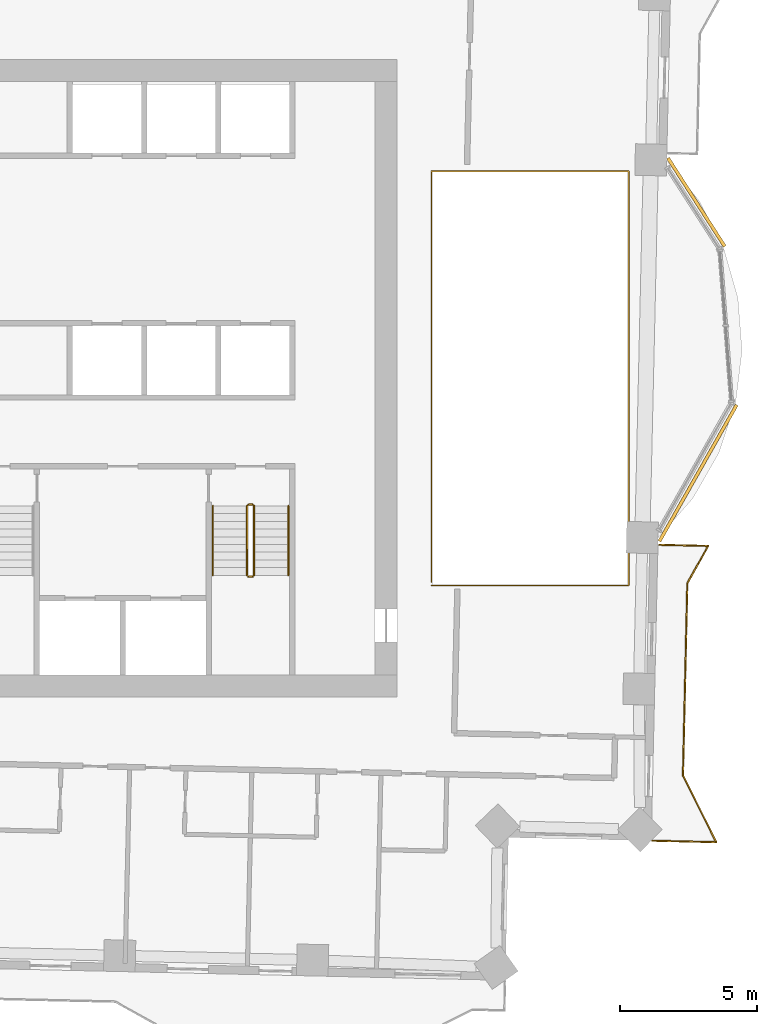
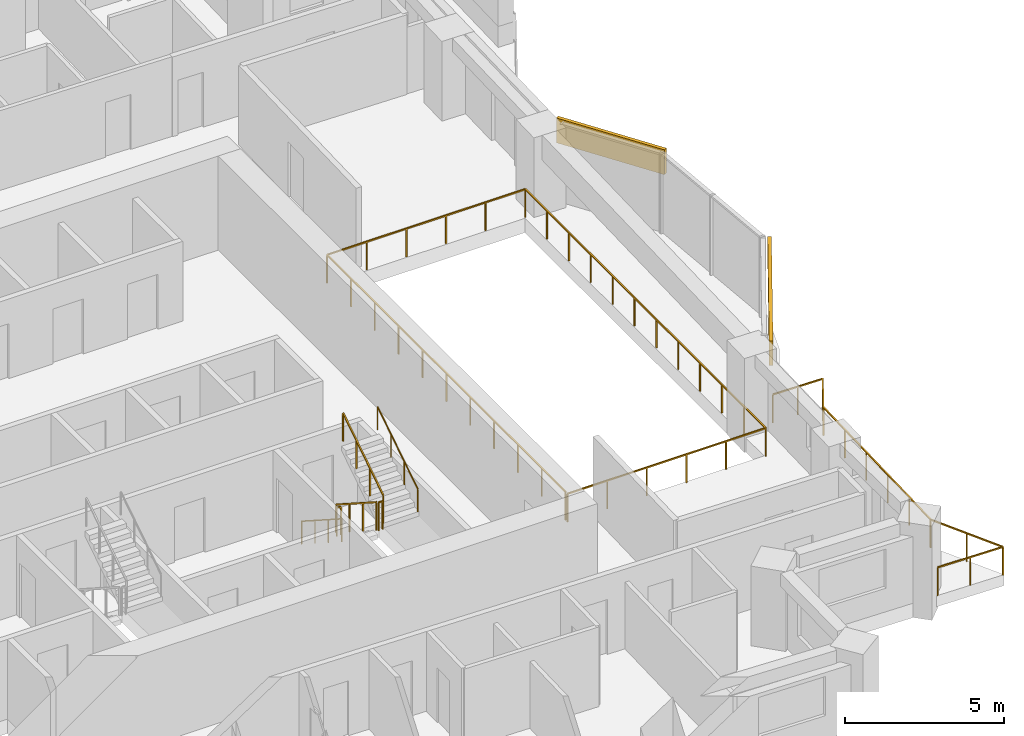
# One storey, part 15 of 16: 8 railings, 2 coverings.
"""IFC4 building model written with IfcOpenShell, lengths in metres."""

from ifc_helpers import new_model, si_unit, direction, frame, frame_2d, origin, origin_2d, place, context, subcontext, project, spatial, rectangle, circle, extrude, material, layer, layer_set, type_object, element, save


model = new_model("IFC4")

# Units and contexts
model_context = context("Model", 3, precision=1e-05, world=origin(), true_north=direction((0.0, 1.0)))
body_context = subcontext(model_context, "Body", "Model", "MODEL_VIEW")
ifc_project = project(units=[si_unit("LENGTHUNIT", "METRE"), si_unit("AREAUNIT", "SQUARE_METRE"), si_unit("VOLUMEUNIT", "CUBIC_METRE"), si_unit("PLANEANGLEUNIT", "RADIAN"), si_unit("MASSUNIT", "GRAM", prefix="KILO")], contexts=[model_context])

# Site, building, storey
site_placement = place(None, origin())
site = spatial("IfcSite", under=ifc_project, at=site_placement, CompositionType="ELEMENT")
building_placement = place(site_placement, origin())
building = spatial("IfcBuilding", under=site, at=building_placement, Name="Mangrove Gate Tower", CompositionType="ELEMENT")
storey_placement = place(building_placement, frame((0.0, 0.0, 197.89990234375)))
storey = spatial("IfcBuildingStorey", under=building, at=storey_placement, Name="L50", CompositionType="ELEMENT", Elevation=197.89990234375)

# Railings
ifc_material_1 = material(Name="Stainless steel grade 316 with laminated glass infill", Category="steel")
railing_type_1 = type_object("IfcRailingType", Name="Balcony guard 1100", PredefinedType="GUARDRAIL", material=ifc_material_1)
railing_1_placement = place(storey_placement, frame((23.89892578125, -16.8330078125, 0.0)))
element("IfcRailing", 1, at=railing_1_placement, inside=storey, type_object=railing_type_1, Name="GUARD L50 E1", PredefinedType="GUARDRAIL", context=body_context, shape_type="SweptSolid", body=[
    extrude(rectangle(XDim=0.048095703125, YDim=0.048095703125, at=origin_2d()), frame((0.0, 0.0, 1.076171875), z_axis=(0.999741185646, -0.022749982937, 0.0), x_axis=(0.022749982937, 0.999741185646, 0.0)), (0.0, 0.0, 1.0), 2.32861328125),
    extrude(rectangle(XDim=0.048095703125, YDim=0.048095703125, at=origin_2d()), frame((2.328125, -0.052978515625, 1.076171875), z_axis=(-0.447249569365, 0.894409203163, 0.0), x_axis=(-0.894409203163, -0.447249569365, 0.0)), (0.0, 0.0, 1.0), 2.714599609375),
    extrude(rectangle(XDim=0.048095703125, YDim=0.048095703125, at=origin_2d()), frame((1.114013671875, 2.375, 1.076171875), z_axis=(0.022740419861, 0.999741403216, 0.0), x_axis=(-0.999741403216, 0.022740419861, 0.0)), (0.0, 0.0, 1.0), 6.999755859375),
    extrude(rectangle(XDim=0.048095703125, YDim=0.048095703125, at=origin_2d()), frame((1.273193359375, 9.373046875, 1.076171875), z_axis=(0.487321616533, 0.873222561584, 0.0), x_axis=(-0.873222561584, 0.487321616533, 0.0)), (0.0, 0.0, 1.0), 1.55517578125),
    extrude(rectangle(XDim=0.048095703125, YDim=0.048095703125, at=origin_2d()), frame((2.031005859375, 10.73095703125, 1.076171875), z_axis=(-0.999736374059, 0.02296045261, 0.0), x_axis=(-0.02296045261, -0.999736374059, 0.0)), (0.0, 0.0, 1.0), 1.786376953125),
    extrude(rectangle(XDim=0.0419921875, YDim=0.0419921875, at=origin_2d()), origin(), (0.0, 0.0, 1.0), 1.052001953125),
    extrude(rectangle(XDim=0.0419921875, YDim=0.0419921875, at=origin_2d()), frame((1.1640625, -0.0263671875, 0.0)), (0.0, 0.0, 1.0), 1.052001953125),
    extrude(rectangle(XDim=0.0419921875, YDim=0.0419921875, at=origin_2d()), frame((2.328125, -0.052978515625, 0.0)), (0.0, 0.0, 1.0), 1.052001953125),
    extrude(rectangle(XDim=0.0419921875, YDim=0.0419921875, at=origin_2d()), frame((1.72119140625, 1.1611328125, 0.0)), (0.0, 0.0, 1.0), 1.052001953125),
    extrude(rectangle(XDim=0.0419921875, YDim=0.0419921875, at=origin_2d()), frame((1.114013671875, 2.375, 0.0)), (0.0, 0.0, 1.0), 1.052001953125),
    extrude(rectangle(XDim=0.0419921875, YDim=0.0419921875, at=origin_2d()), frame((1.145751953125, 3.774658203125, 0.0)), (0.0, 0.0, 1.0), 1.052001953125),
    extrude(rectangle(XDim=0.0419921875, YDim=0.0419921875, at=origin_2d()), frame((1.177734375, 5.17431640625, 0.0)), (0.0, 0.0, 1.0), 1.052001953125),
    extrude(rectangle(XDim=0.0419921875, YDim=0.0419921875, at=origin_2d()), frame((1.20947265625, 6.57373046875, 0.0)), (0.0, 0.0, 1.0), 1.052001953125),
    extrude(rectangle(XDim=0.0419921875, YDim=0.0419921875, at=origin_2d()), frame((1.241455078125, 7.973388671875, 0.0)), (0.0, 0.0, 1.0), 1.052001953125),
    extrude(rectangle(XDim=0.0419921875, YDim=0.0419921875, at=origin_2d()), frame((1.273193359375, 9.373046875, 0.0)), (0.0, 0.0, 1.0), 1.052001953125),
    extrude(rectangle(XDim=0.0419921875, YDim=0.0419921875, at=origin_2d()), frame((1.652099609375, 10.052001953125, 0.0)), (0.0, 0.0, 1.0), 1.052001953125),
    extrude(rectangle(XDim=0.0419921875, YDim=0.0419921875, at=origin_2d()), frame((2.031005859375, 10.73095703125, 0.0)), (0.0, 0.0, 1.0), 1.052001953125),
    extrude(rectangle(XDim=0.0419921875, YDim=0.0419921875, at=origin_2d()), frame((1.13818359375, 10.75146484375, 0.0)), (0.0, 0.0, 1.0), 1.052001953125),
    extrude(rectangle(XDim=0.0419921875, YDim=0.0419921875, at=origin_2d()), frame((0.2451171875, 10.77197265625, 0.0)), (0.0, 0.0, 1.0), 1.052001953125),
])
railing_2_placement = place(storey_placement, frame((15.860107421875, -7.5400390625, 0.0)))
element("IfcRailing", 2, at=railing_2_placement, inside=storey, type_object=railing_type_1, Name="GUARD L50 atrium", PredefinedType="GUARDRAIL", context=body_context, shape_type="SweptSolid", body=[
    extrude(rectangle(XDim=0.048095703125, YDim=0.048095703125, at=origin_2d()), frame((0.0, 0.0, 1.076171875), z_axis=(1.0, 0.0, 0.0), x_axis=(0.0, 1.0, 0.0)), (0.0, 0.0, 1.0), 7.1748046875),
    extrude(rectangle(XDim=0.048095703125, YDim=0.048095703125, at=origin_2d()), frame((7.1748046875, 0.0, 1.076171875), z_axis=(0.0, 1.0, 0.0), x_axis=(-1.0, 0.0, 0.0)), (0.0, 0.0, 1.0), 15.080078125),
    extrude(rectangle(XDim=0.048095703125, YDim=0.048095703125, at=origin_2d()), frame((7.1748046875, 15.080078125, 1.076171875), z_axis=(-1.0, 0.0, 0.0), x_axis=(0.0, -1.0, 0.0)), (0.0, 0.0, 1.0), 7.1748046875),
    extrude(rectangle(XDim=0.048095703125, YDim=0.048095703125, at=origin_2d()), frame((0.0, 15.080078125, 1.076171875), z_axis=(0.0, -1.0, 0.0), x_axis=(1.0, 0.0, 0.0)), (0.0, 0.0, 1.0), 14.9599609375),
    extrude(rectangle(XDim=0.0419921875, YDim=0.0419921875, at=origin_2d()), origin(), (0.0, 0.0, 1.0), 1.052001953125),
    extrude(rectangle(XDim=0.0419921875, YDim=0.0419921875, at=origin_2d()), frame((1.43505859375, 0.0, 0.0)), (0.0, 0.0, 1.0), 1.052001953125),
    extrude(rectangle(XDim=0.0419921875, YDim=0.0419921875, at=origin_2d()), frame((2.869873046875, 0.0, 0.0)), (0.0, 0.0, 1.0), 1.052001953125),
    extrude(rectangle(XDim=0.0419921875, YDim=0.0419921875, at=origin_2d()), frame((4.304931640625, 0.0, 0.0)), (0.0, 0.0, 1.0), 1.052001953125),
    extrude(rectangle(XDim=0.0419921875, YDim=0.0419921875, at=origin_2d()), frame((5.73974609375, 0.0, 0.0)), (0.0, 0.0, 1.0), 1.052001953125),
    extrude(rectangle(XDim=0.0419921875, YDim=0.0419921875, at=origin_2d()), frame((7.1748046875, 0.0, 0.0)), (0.0, 0.0, 1.0), 1.052001953125),
    extrude(rectangle(XDim=0.0419921875, YDim=0.0419921875, at=origin_2d()), frame((7.1748046875, 1.370849609375, 0.0)), (0.0, 0.0, 1.0), 1.052001953125),
    extrude(rectangle(XDim=0.0419921875, YDim=0.0419921875, at=origin_2d()), frame((7.1748046875, 2.741943359375, 0.0)), (0.0, 0.0, 1.0), 1.052001953125),
    extrude(rectangle(XDim=0.0419921875, YDim=0.0419921875, at=origin_2d()), frame((7.1748046875, 4.11279296875, 0.0)), (0.0, 0.0, 1.0), 1.052001953125),
    extrude(rectangle(XDim=0.0419921875, YDim=0.0419921875, at=origin_2d()), frame((7.1748046875, 5.483642578125, 0.0)), (0.0, 0.0, 1.0), 1.052001953125),
    extrude(rectangle(XDim=0.0419921875, YDim=0.0419921875, at=origin_2d()), frame((7.1748046875, 6.8544921875, 0.0)), (0.0, 0.0, 1.0), 1.052001953125),
    extrude(rectangle(XDim=0.0419921875, YDim=0.0419921875, at=origin_2d()), frame((7.1748046875, 8.2255859375, 0.0)), (0.0, 0.0, 1.0), 1.052001953125),
    extrude(rectangle(XDim=0.0419921875, YDim=0.0419921875, at=origin_2d()), frame((7.1748046875, 9.596435546875, 0.0)), (0.0, 0.0, 1.0), 1.052001953125),
    extrude(rectangle(XDim=0.0419921875, YDim=0.0419921875, at=origin_2d()), frame((7.1748046875, 10.96728515625, 0.0)), (0.0, 0.0, 1.0), 1.052001953125),
    extrude(rectangle(XDim=0.0419921875, YDim=0.0419921875, at=origin_2d()), frame((7.1748046875, 12.338134765625, 0.0)), (0.0, 0.0, 1.0), 1.052001953125),
    extrude(rectangle(XDim=0.0419921875, YDim=0.0419921875, at=origin_2d()), frame((7.1748046875, 13.709228515625, 0.0)), (0.0, 0.0, 1.0), 1.052001953125),
    extrude(rectangle(XDim=0.0419921875, YDim=0.0419921875, at=origin_2d()), frame((7.1748046875, 15.080078125, 0.0)), (0.0, 0.0, 1.0), 1.052001953125),
    extrude(rectangle(XDim=0.0419921875, YDim=0.0419921875, at=origin_2d()), frame((5.73974609375, 15.080078125, 0.0)), (0.0, 0.0, 1.0), 1.052001953125),
    extrude(rectangle(XDim=0.0419921875, YDim=0.0419921875, at=origin_2d()), frame((4.304931640625, 15.080078125, 0.0)), (0.0, 0.0, 1.0), 1.052001953125),
    extrude(rectangle(XDim=0.0419921875, YDim=0.0419921875, at=origin_2d()), frame((2.869873046875, 15.080078125, 0.0)), (0.0, 0.0, 1.0), 1.052001953125),
    extrude(rectangle(XDim=0.0419921875, YDim=0.0419921875, at=origin_2d()), frame((1.43505859375, 15.080078125, 0.0)), (0.0, 0.0, 1.0), 1.052001953125),
    extrude(rectangle(XDim=0.0419921875, YDim=0.0419921875, at=origin_2d()), frame((0.0, 15.080078125, 0.0)), (0.0, 0.0, 1.0), 1.052001953125),
    extrude(rectangle(XDim=0.0419921875, YDim=0.0419921875, at=origin_2d()), frame((0.0, 13.583984375, 0.0)), (0.0, 0.0, 1.0), 1.052001953125),
    extrude(rectangle(XDim=0.0419921875, YDim=0.0419921875, at=origin_2d()), frame((0.0, 12.088134765625, 0.0)), (0.0, 0.0, 1.0), 1.052001953125),
    extrude(rectangle(XDim=0.0419921875, YDim=0.0419921875, at=origin_2d()), frame((0.0, 10.592041015625, 0.0)), (0.0, 0.0, 1.0), 1.052001953125),
    extrude(rectangle(XDim=0.0419921875, YDim=0.0419921875, at=origin_2d()), frame((0.0, 9.09619140625, 0.0)), (0.0, 0.0, 1.0), 1.052001953125),
    extrude(rectangle(XDim=0.0419921875, YDim=0.0419921875, at=origin_2d()), frame((0.0, 7.60009765625, 0.0)), (0.0, 0.0, 1.0), 1.052001953125),
    extrude(rectangle(XDim=0.0419921875, YDim=0.0419921875, at=origin_2d()), frame((0.0, 6.10400390625, 0.0)), (0.0, 0.0, 1.0), 1.052001953125),
    extrude(rectangle(XDim=0.0419921875, YDim=0.0419921875, at=origin_2d()), frame((0.0, 4.608154296875, 0.0)), (0.0, 0.0, 1.0), 1.052001953125),
    extrude(rectangle(XDim=0.0419921875, YDim=0.0419921875, at=origin_2d()), frame((0.0, 3.112060546875, 0.0)), (0.0, 0.0, 1.0), 1.052001953125),
    extrude(rectangle(XDim=0.0419921875, YDim=0.0419921875, at=origin_2d()), frame((0.0, 1.6162109375, 0.0)), (0.0, 0.0, 1.0), 1.052001953125),
    extrude(rectangle(XDim=0.0419921875, YDim=0.0419921875, at=origin_2d()), frame((0.0, 0.1201171875, 0.0)), (0.0, 0.0, 1.0), 1.052001953125),
])
ifc_material_2 = material(Name="Stainless steel 316", Category="steel")
railing_type_2 = type_object("IfcRailingType", Name="Core stair guard 1100", PredefinedType="GUARDRAIL", material=ifc_material_2)
railing_3_placement = place(storey_placement, frame((9.14990234375, -4.64990234375, 0.18017578125)))
element("IfcRailing", 3, at=railing_3_placement, inside=storey, type_object=railing_type_2, Name="L50 ST3 stair guard 1", PredefinedType="GUARDRAIL", context=body_context, shape_type="SweptSolid", body=[
    extrude(rectangle(XDim=0.048095703125, YDim=0.048095703125, at=origin_2d()), frame((0.0, 0.0, 1.076171875), z_axis=(0.0, -0.841199657755, 0.540724639528), x_axis=(1.0, 0.0, 0.0)), (0.0, 0.0, 1.0), 2.995849609375),
    extrude(rectangle(XDim=0.0419921875, YDim=0.0419921875, at=origin_2d()), origin(), (0.0, 0.0, 1.0), 1.052001953125),
    extrude(rectangle(XDim=0.0419921875, YDim=0.0419921875, at=origin_2d()), frame((0.0, -0.840087890625, 0.5400390625)), (0.0, 0.0, 1.0), 1.052001953125),
    extrude(rectangle(XDim=0.0419921875, YDim=0.0419921875, at=origin_2d()), frame((0.0, -1.679931640625, 1.079833984375)), (0.0, 0.0, 1.0), 1.052001953125),
    extrude(rectangle(XDim=0.0419921875, YDim=0.0419921875, at=origin_2d()), frame((0.0, -2.52001953125, 1.619873046875)), (0.0, 0.0, 1.0), 1.052001953125),
])
railing_4_placement = place(storey_placement, frame((9.199951171875, -7.219970703125, 1.800048828125)))
element("IfcRailing", 4, at=railing_4_placement, inside=storey, type_object=railing_type_2, Name="L50 ST3 stair guard 2", PredefinedType="GUARDRAIL", context=body_context, shape_type="SweptSolid", body=[
    extrude(rectangle(XDim=0.048095703125, YDim=0.048095703125, at=origin_2d()), frame((0.0, 0.0, 1.076171875), z_axis=(1.0, 0.0, 0.0), x_axis=(0.0, 1.0, 0.0)), (0.0, 0.0, 1.0), 0.150146484375),
    extrude(rectangle(XDim=0.0419921875, YDim=0.0419921875, at=origin_2d()), origin(), (0.0, 0.0, 1.0), 1.052001953125),
    extrude(rectangle(XDim=0.0419921875, YDim=0.0419921875, at=origin_2d()), frame((0.150146484375, 0.0, 0.0)), (0.0, 0.0, 1.0), 1.052001953125),
])
railing_5_placement = place(storey_placement, frame((9.39990234375, -7.169921875, 1.97998046875)))
element("IfcRailing", 5, at=railing_5_placement, inside=storey, type_object=railing_type_2, Name="L50 ST3 stair guard 3", PredefinedType="GUARDRAIL", context=body_context, shape_type="SweptSolid", body=[
    extrude(rectangle(XDim=0.048095703125, YDim=0.048095703125, at=origin_2d()), frame((0.0, 0.0, 1.076171875), z_axis=(0.0, 0.841162588446, 0.540782303519), x_axis=(-1.0, 0.0, 0.0)), (0.0, 0.0, 1.0), 2.995849609375),
    extrude(rectangle(XDim=0.0419921875, YDim=0.0419921875, at=origin_2d()), origin(), (0.0, 0.0, 1.0), 1.052001953125),
    extrude(rectangle(XDim=0.0419921875, YDim=0.0419921875, at=origin_2d()), frame((0.0, 0.840087890625, 0.5400390625)), (0.0, 0.0, 1.0), 1.052001953125),
    extrude(rectangle(XDim=0.0419921875, YDim=0.0419921875, at=origin_2d()), frame((0.0, 1.679931640625, 1.080078125)), (0.0, 0.0, 1.0), 1.052001953125),
    extrude(rectangle(XDim=0.0419921875, YDim=0.0419921875, at=origin_2d()), frame((0.0, 2.52001953125, 1.6201171875)), (0.0, 0.0, 1.0), 1.052001953125),
])
railing_6_placement = place(storey_placement, frame((9.199951171875, -4.60009765625, 0.0)))
element("IfcRailing", 6, at=railing_6_placement, inside=storey, type_object=railing_type_2, Name="L50 ST3 stair guard 4", PredefinedType="GUARDRAIL", context=body_context, shape_type="SweptSolid", body=[
    extrude(rectangle(XDim=0.048095703125, YDim=0.048095703125, at=origin_2d()), frame((0.0, 0.0, 1.076171875), z_axis=(1.0, 0.0, 0.0), x_axis=(0.0, 1.0, 0.0)), (0.0, 0.0, 1.0), 0.150146484375),
    extrude(rectangle(XDim=0.0419921875, YDim=0.0419921875, at=origin_2d()), origin(), (0.0, 0.0, 1.0), 1.052001953125),
    extrude(rectangle(XDim=0.0419921875, YDim=0.0419921875, at=origin_2d()), frame((0.150146484375, 0.0, 0.0)), (0.0, 0.0, 1.0), 1.052001953125),
])
ifc_material_3 = material(Name="Stainless steel 316", Category="steel")
railing_type_3 = type_object("IfcRailingType", Name="Core stair handrail 900", PredefinedType="HANDRAIL", material=ifc_material_3)
railing_7_placement = place(storey_placement, frame((7.89990234375, -4.64990234375, 0.18017578125)))
element("IfcRailing", 7, at=railing_7_placement, inside=storey, type_object=railing_type_3, Name="L50 ST3 stair handrail 1", PredefinedType="HANDRAIL", context=body_context, shape_type="SweptSolid", body=[
    extrude(circle(Radius=0.02392578125, at=origin_2d()), frame((0.0, 0.0, 0.8759765625), z_axis=(0.0, -0.841199657755, 0.540724639528), x_axis=(1.0, 0.0, 0.0)), (0.0, 0.0, 1.0), 2.995849609375),
    extrude(circle(Radius=0.02099609375, at=origin_2d()), origin(), (0.0, 0.0, 1.0), 0.851806640625),
    extrude(circle(Radius=0.02099609375, at=origin_2d()), frame((0.0, -0.840087890625, 0.5400390625)), (0.0, 0.0, 1.0), 0.851806640625),
    extrude(circle(Radius=0.02099609375, at=origin_2d()), frame((0.0, -1.679931640625, 1.079833984375)), (0.0, 0.0, 1.0), 0.851806640625),
    extrude(circle(Radius=0.02099609375, at=origin_2d()), frame((0.0, -2.52001953125, 1.619873046875)), (0.0, 0.0, 1.0), 0.851806640625),
])
railing_8_placement = place(storey_placement, frame((10.64990234375, -7.169921875, 1.97998046875)))
element("IfcRailing", 8, at=railing_8_placement, inside=storey, type_object=railing_type_3, Name="L50 ST3 stair handrail 2", PredefinedType="HANDRAIL", context=body_context, shape_type="SweptSolid", body=[
    extrude(circle(Radius=0.02392578125, at=origin_2d()), frame((0.0, 0.0, 0.8759765625), z_axis=(0.0, 0.841162588446, 0.540782303519), x_axis=(-1.0, 0.0, 0.0)), (0.0, 0.0, 1.0), 2.995849609375),
    extrude(circle(Radius=0.02099609375, at=origin_2d()), origin(), (0.0, 0.0, 1.0), 0.851806640625),
    extrude(circle(Radius=0.02099609375, at=origin_2d()), frame((0.0, 0.840087890625, 0.5400390625)), (0.0, 0.0, 1.0), 0.851806640625),
    extrude(circle(Radius=0.02099609375, at=origin_2d()), frame((0.0, 1.679931640625, 1.080078125)), (0.0, 0.0, 1.0), 0.851806640625),
    extrude(circle(Radius=0.02099609375, at=origin_2d()), frame((0.0, 2.52001953125, 1.6201171875)), (0.0, 0.0, 1.0), 0.851806640625),
])

# Coverings
ifc_material_4 = material(Name="Limestone", Category="masonry")
ifc_layer_1 = layer(ifc_material_4, 0.0400390625, Name="Limestone cladding")
ifc_material_5 = material(Name="Stainless steel anchors and cavity", Category="steel")
ifc_layer_2 = layer(ifc_material_5, 0.080078125, Name="Fixing cavity")
ifc_layer_set = layer_set([ifc_layer_1, ifc_layer_2], Name="Joint fascia cladding 120")
covering_type = type_object("IfcCoveringType", Name="Joint fascia cladding 120", PredefinedType="CLADDING", material=ifc_layer_set)
covering_1_placement = place(storey_placement, frame((24.156982421875, -5.93603515625, 2.10009765625), z_axis=(0.0, 0.0, 1.0), x_axis=(0.492549299416, 0.870284544069, 0.0)))
element("IfcCovering", 9, at=covering_1_placement, inside=storey, type_object=covering_type, Name="STONE FASCIA L50 E1.L1", PredefinedType="CLADDING", context=body_context, shape_type="SweptSolid", body=[
    extrude(rectangle(XDim=5.705078125, YDim=0.1201171875, at=frame_2d((2.8525390625, 0.0))), origin(), (0.0, 0.0, 1.0), 0.949951171875),
])
covering_2_placement = place(storey_placement, frame((26.531005859375, 4.802001953125, 2.10009765625), z_axis=(0.0, 0.0, 1.0), x_axis=(-0.540340805768, 0.841446263063, 0.0)))
element("IfcCovering", 10, at=covering_2_placement, inside=storey, type_object=covering_type, Name="STONE FASCIA L50 E1.L2", PredefinedType="CLADDING", context=body_context, shape_type="SweptSolid", body=[
    extrude(rectangle(XDim=3.81982421875, YDim=0.1201171875, at=frame_2d((1.909912109375, 0.0))), origin(), (0.0, 0.0, 1.0), 0.949951171875),
])

save(model, "model.ifc")
